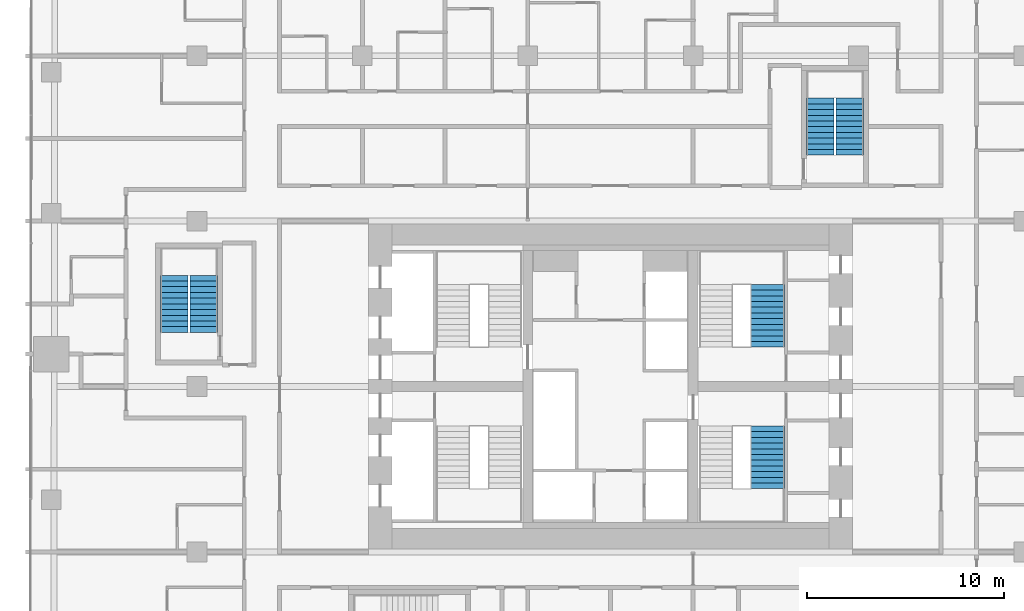
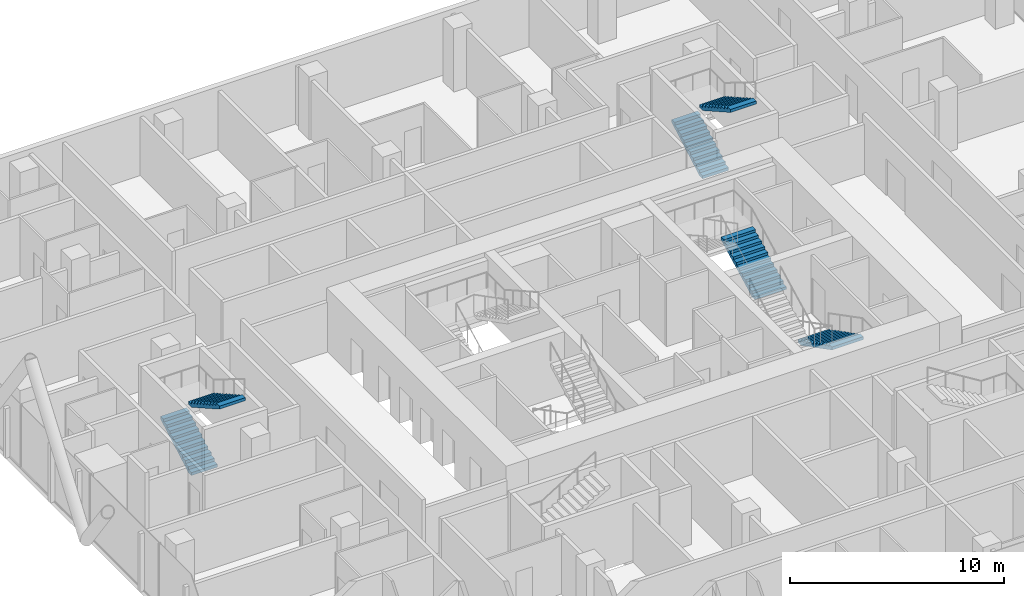
# One storey, part 33 of 35: 6 stair flights, 4 elements without a shape of their own.
"""IFC4 building model written with IfcOpenShell, lengths in metres."""

from ifc_helpers import new_model, si_unit, direction, frame, origin, place, context, subcontext, project, spatial, polyline, outline, extrude, material, type_object, element, aggregate, save


model = new_model("IFC4")

# Units and contexts
model_context = context("Model", 3, precision=1e-05, world=origin(), true_north=direction((0.0, 1.0)))
body_context = subcontext(model_context, "Body", "Model", "MODEL_VIEW")
ifc_project = project(units=[si_unit("LENGTHUNIT", "METRE"), si_unit("AREAUNIT", "SQUARE_METRE"), si_unit("VOLUMEUNIT", "CUBIC_METRE"), si_unit("PLANEANGLEUNIT", "RADIAN"), si_unit("MASSUNIT", "GRAM", prefix="KILO")], contexts=[model_context])

# Site, building, storey
site_placement = place(None, origin())
site = spatial("IfcSite", under=ifc_project, at=site_placement, CompositionType="ELEMENT")
building_placement = place(site_placement, origin())
building = spatial("IfcBuilding", under=site, at=building_placement, Name="Marenta Gate Hotel Tower", CompositionType="ELEMENT")
storey_placement = place(building_placement, frame((0.0, 0.0, 61.699951171875)))
storey = spatial("IfcBuildingStorey", under=building, at=storey_placement, Name="L13", CompositionType="ELEMENT", Elevation=61.699951171875)

# Stair, stair flight
ifc_material_1 = material(Name="Concrete C40", Category="concrete")
stair_type_1 = type_object("IfcStairType", Name="Core exit stair 1700 wide", PredefinedType="HALF_TURN_STAIR", material=ifc_material_1)
stair_1_placement = place(storey_placement, origin())
stair_1 = element("IfcStair", 1, at=stair_1_placement, inside=storey, type_object=stair_type_1, Name="Exit stair 3", PredefinedType="HALF_TURN_STAIR")
ifc_material_2 = material(Name="Concrete C40", Category="concrete")
stair_flight_type_1 = type_object("IfcStairFlightType", Name="Core stair flight 1700 riser 150.0 going 290", PredefinedType="STRAIGHT", material=ifc_material_2)
stair_flight_1_placement = place(storey_placement, frame((8.0, 6.39990234375, 0.0), z_axis=(0.0, 0.0, 1.0), x_axis=(0.0, -1.0, 0.0)))
stair_flight_1 = element("IfcStairFlight", 2, at=stair_flight_1_placement, type_object=stair_flight_type_1, Name="ST3 flight 1", NumberOfRisers=12, NumberOfTreads=11, PredefinedType="STRAIGHT", RiserHeight=0.15, TreadLength=0.29, context=body_context, shape_type="SweptSolid", body=[
    extrude(outline(polyline([(0.0, 0.0), (0.0, 0.14990234375), (0.2900390625, 0.14990234375), (0.2900390625, 0.300048828125), (0.580078125, 0.300048828125), (0.580078125, 0.449951171875), (0.8701171875, 0.449951171875), (0.8701171875, 0.60009765625), (1.159912109375, 0.60009765625), (1.159912109375, 0.75), (1.449951171875, 0.75), (1.449951171875, 0.89990234375), (1.739990234375, 0.89990234375), (1.739990234375, 1.050048828125), (2.030029296875, 1.050048828125), (2.030029296875, 1.199951171875), (2.320068359375, 1.199951171875), (2.320068359375, 1.35009765625), (2.610107421875, 1.35009765625), (2.610107421875, 1.5), (2.89990234375, 1.5), (2.89990234375, 1.64990234375), (3.18994140625, 1.64990234375), (3.18994140625, 1.800048828125), (3.18994140625, 1.481201171875), (0.326171875, 0.0), (0.0, 0.0)])), frame((0.0, 0.85009765625, 0.0), z_axis=(0.0, -1.0, 0.0), x_axis=(1.0, 0.0, 0.0)), (0.0, 0.0, 1.0), 1.699951171875),
])
aggregate(stair_1, [stair_flight_1])

stair_2_placement = place(storey_placement, origin())
stair_2 = element("IfcStair", 3, at=stair_2_placement, inside=storey, type_object=stair_type_1, Name="Exit stair 4", PredefinedType="HALF_TURN_STAIR")
stair_flight_2_placement = place(storey_placement, frame((8.0, 10.39990234375, 0.0), z_axis=(0.0, 0.0, 1.0), x_axis=(0.0, 1.0, 0.0)))
stair_flight_2 = element("IfcStairFlight", 4, at=stair_flight_2_placement, type_object=stair_flight_type_1, Name="ST4 flight 1", NumberOfRisers=12, NumberOfTreads=11, PredefinedType="STRAIGHT", RiserHeight=0.15, TreadLength=0.29, context=body_context, shape_type="SweptSolid", body=[
    extrude(outline(polyline([(0.0, 0.0), (0.0, 0.14990234375), (0.2900390625, 0.14990234375), (0.2900390625, 0.300048828125), (0.580078125, 0.300048828125), (0.580078125, 0.449951171875), (0.8701171875, 0.449951171875), (0.8701171875, 0.60009765625), (1.159912109375, 0.60009765625), (1.159912109375, 0.75), (1.449951171875, 0.75), (1.449951171875, 0.89990234375), (1.739990234375, 0.89990234375), (1.739990234375, 1.050048828125), (2.030029296875, 1.050048828125), (2.030029296875, 1.199951171875), (2.320068359375, 1.199951171875), (2.320068359375, 1.35009765625), (2.610107421875, 1.35009765625), (2.610107421875, 1.5), (2.89990234375, 1.5), (2.89990234375, 1.64990234375), (3.18994140625, 1.64990234375), (3.18994140625, 1.800048828125), (3.18994140625, 1.481201171875), (0.326171875, 0.0), (0.0, 0.0)])), frame((0.0, 0.85009765625, 0.0), z_axis=(0.0, -1.0, 0.0), x_axis=(1.0, 0.0, 0.0)), (0.0, 0.0, 1.0), 1.699951171875),
])
aggregate(stair_2, [stair_flight_2])

# Stair, stair flights
ifc_material_3 = material(Name="Concrete C40", Category="concrete")
stair_type_2 = type_object("IfcStairType", Name="Remote exit stair 1400 wide", PredefinedType="HALF_TURN_STAIR", material=ifc_material_3)
stair_3_placement = place(storey_placement, origin())
stair_3 = element("IfcStair", 5, at=stair_3_placement, inside=storey, type_object=stair_type_2, Name="Exit stair RS-Z1-3", PredefinedType="HALF_TURN_STAIR")
ifc_material_4 = material(Name="Concrete C40", Category="concrete")
stair_flight_type_2 = type_object("IfcStairFlightType", Name="Remote stair flight 1400 riser 163.6 going 290", PredefinedType="STRAIGHT", material=ifc_material_4)
stair_flight_3_placement = place(storey_placement, frame((-22.14990234375, 11.14990234375, 0.0), z_axis=(0.0, 0.0, 1.0), x_axis=(0.0, 1.0, 0.0)))
stair_flight_3 = element("IfcStairFlight", 6, at=stair_flight_3_placement, type_object=stair_flight_type_2, Name="RS-Z1-3 flight 1", NumberOfRisers=11, NumberOfTreads=10, PredefinedType="STRAIGHT", RiserHeight=0.163636, TreadLength=0.29, context=body_context, shape_type="SweptSolid", body=[
    extrude(outline(polyline([(0.0, 0.0), (0.0, 0.16357421875), (0.2900390625, 0.16357421875), (0.2900390625, 0.327392578125), (0.580078125, 0.327392578125), (0.580078125, 0.490966796875), (0.8701171875, 0.490966796875), (0.8701171875, 0.654541015625), (1.159912109375, 0.654541015625), (1.159912109375, 0.818115234375), (1.449951171875, 0.818115234375), (1.449951171875, 0.98193359375), (1.739990234375, 0.98193359375), (1.739990234375, 1.1455078125), (2.030029296875, 1.1455078125), (2.030029296875, 1.30908203125), (2.320068359375, 1.30908203125), (2.320068359375, 1.47265625), (2.610107421875, 1.47265625), (2.610107421875, 1.636474609375), (2.89990234375, 1.636474609375), (2.89990234375, 1.800048828125), (2.89990234375, 1.46435546875), (0.304931640625, 0.0), (0.0, 0.0)])), frame((0.0, 0.699951171875, 0.0), z_axis=(0.0, -1.0, 0.0), x_axis=(1.0, 0.0, 0.0)), (0.0, 0.0, 1.0), 1.39990234375),
])
stair_flight_4_placement = place(storey_placement, frame((-20.64990234375, 14.050048828125, 1.800048828125), z_axis=(0.0, 0.0, 1.0), x_axis=(0.0, -1.0, 0.0)))
stair_flight_4 = element("IfcStairFlight", 7, at=stair_flight_4_placement, type_object=stair_flight_type_2, Name="RS-Z1-3 flight 2", NumberOfRisers=11, NumberOfTreads=10, PredefinedType="STRAIGHT", RiserHeight=0.163636, TreadLength=0.29, context=body_context, shape_type="SweptSolid", body=[
    extrude(outline(polyline([(0.0, 0.0), (0.0, 0.16357421875), (0.2900390625, 0.16357421875), (0.2900390625, 0.327392578125), (0.580078125, 0.327392578125), (0.580078125, 0.490966796875), (0.8701171875, 0.490966796875), (0.8701171875, 0.654541015625), (1.159912109375, 0.654541015625), (1.159912109375, 0.818115234375), (1.449951171875, 0.818115234375), (1.449951171875, 0.98193359375), (1.739990234375, 0.98193359375), (1.739990234375, 1.1455078125), (2.030029296875, 1.1455078125), (2.030029296875, 1.30908203125), (2.320068359375, 1.30908203125), (2.320068359375, 1.47265625), (2.610107421875, 1.47265625), (2.610107421875, 1.636474609375), (2.89990234375, 1.636474609375), (2.89990234375, 1.800048828125), (2.89990234375, 1.46435546875), (0.304931640625, 0.0), (0.0, 0.0)])), frame((0.0, 0.699951171875, 0.0), z_axis=(0.0, -1.0, 0.0), x_axis=(1.0, 0.0, 0.0)), (0.0, 0.0, 1.0), 1.39990234375),
])
aggregate(stair_3, [stair_flight_3, stair_flight_4])

stair_4_placement = place(storey_placement, origin())
stair_4 = element("IfcStair", 8, at=stair_4_placement, inside=storey, type_object=stair_type_2, Name="Exit stair RS-Z1-4", PredefinedType="HALF_TURN_STAIR")
stair_flight_5_placement = place(storey_placement, frame((10.64990234375, 20.14990234375, 0.0), z_axis=(0.0, 0.0, 1.0), x_axis=(0.0, 1.0, 0.0)))
stair_flight_5 = element("IfcStairFlight", 9, at=stair_flight_5_placement, type_object=stair_flight_type_2, Name="RS-Z1-4 flight 1", NumberOfRisers=11, NumberOfTreads=10, PredefinedType="STRAIGHT", RiserHeight=0.163636, TreadLength=0.29, context=body_context, shape_type="SweptSolid", body=[
    extrude(outline(polyline([(0.0, 0.0), (0.0, 0.16357421875), (0.2900390625, 0.16357421875), (0.2900390625, 0.327392578125), (0.580078125, 0.327392578125), (0.580078125, 0.490966796875), (0.8701171875, 0.490966796875), (0.8701171875, 0.654541015625), (1.159912109375, 0.654541015625), (1.159912109375, 0.818115234375), (1.449951171875, 0.818115234375), (1.449951171875, 0.98193359375), (1.739990234375, 0.98193359375), (1.739990234375, 1.1455078125), (2.030029296875, 1.1455078125), (2.030029296875, 1.30908203125), (2.320068359375, 1.30908203125), (2.320068359375, 1.47265625), (2.610107421875, 1.47265625), (2.610107421875, 1.636474609375), (2.89990234375, 1.636474609375), (2.89990234375, 1.800048828125), (2.89990234375, 1.46435546875), (0.304931640625, 0.0), (0.0, 0.0)])), frame((0.0, 0.699951171875, 0.0), z_axis=(0.0, -1.0, 0.0), x_axis=(1.0, 0.0, 0.0)), (0.0, 0.0, 1.0), 1.39990234375),
])
stair_flight_6_placement = place(storey_placement, frame((12.14990234375, 23.050048828125, 1.800048828125), z_axis=(0.0, 0.0, 1.0), x_axis=(0.0, -1.0, 0.0)))
stair_flight_6 = element("IfcStairFlight", 10, at=stair_flight_6_placement, type_object=stair_flight_type_2, Name="RS-Z1-4 flight 2", NumberOfRisers=11, NumberOfTreads=10, PredefinedType="STRAIGHT", RiserHeight=0.163636, TreadLength=0.29, context=body_context, shape_type="SweptSolid", body=[
    extrude(outline(polyline([(0.0, 0.0), (0.0, 0.16357421875), (0.2900390625, 0.16357421875), (0.2900390625, 0.327392578125), (0.580078125, 0.327392578125), (0.580078125, 0.490966796875), (0.8701171875, 0.490966796875), (0.8701171875, 0.654541015625), (1.159912109375, 0.654541015625), (1.159912109375, 0.818115234375), (1.449951171875, 0.818115234375), (1.449951171875, 0.98193359375), (1.739990234375, 0.98193359375), (1.739990234375, 1.1455078125), (2.030029296875, 1.1455078125), (2.030029296875, 1.30908203125), (2.320068359375, 1.30908203125), (2.320068359375, 1.47265625), (2.610107421875, 1.47265625), (2.610107421875, 1.636474609375), (2.89990234375, 1.636474609375), (2.89990234375, 1.800048828125), (2.89990234375, 1.46435546875), (0.304931640625, 0.0), (0.0, 0.0)])), frame((0.0, 0.699951171875, 0.0), z_axis=(0.0, -1.0, 0.0), x_axis=(1.0, 0.0, 0.0)), (0.0, 0.0, 1.0), 1.39990234375),
])
aggregate(stair_4, [stair_flight_5, stair_flight_6])

save(model, "model.ifc")
